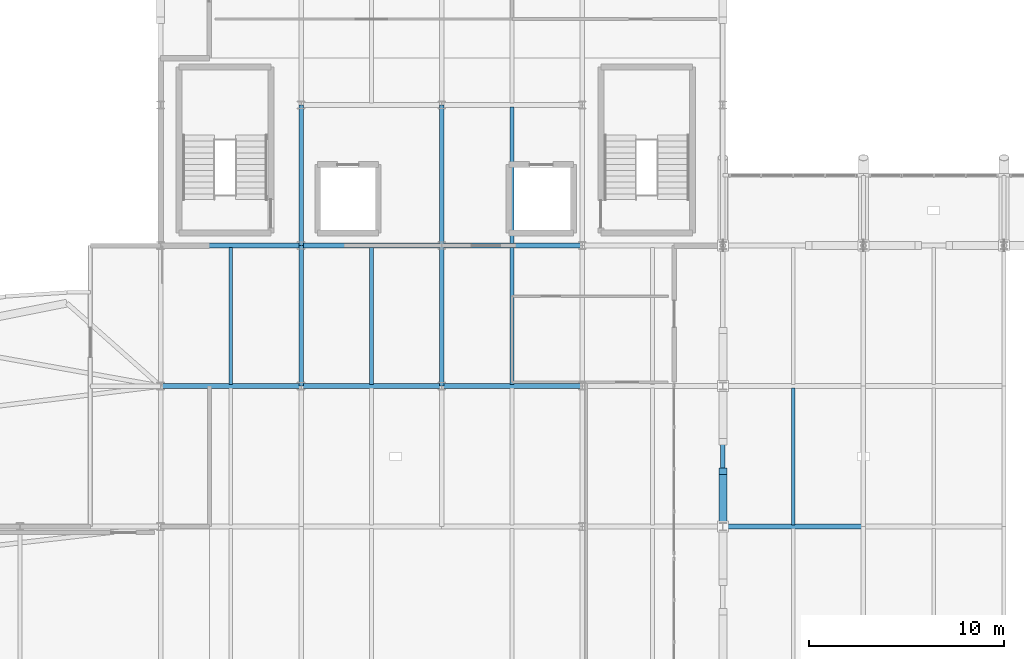
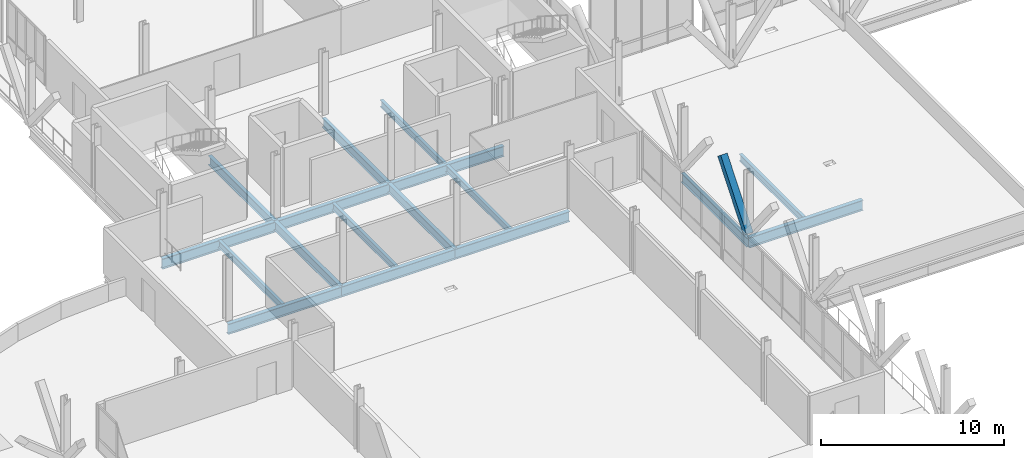
# One storey, part 22 of 102: 17 beams, 1 member.
"""IFC4 building model written with IfcOpenShell, lengths in metres."""

from ifc_helpers import new_model, si_unit, direction, frame, origin, origin_2d, place, context, subcontext, project, spatial, rectangle, i_section, extrude, material, material_profile, profile_set, type_object, element, save


model = new_model("IFC4")

# Units and contexts
model_context = context("Model", 3, precision=1e-05, world=origin(), true_north=direction((0.0, 1.0)))
body_context = subcontext(model_context, "Body", "Model", "MODEL_VIEW")
ifc_project = project(units=[si_unit("LENGTHUNIT", "METRE"), si_unit("AREAUNIT", "SQUARE_METRE"), si_unit("VOLUMEUNIT", "CUBIC_METRE"), si_unit("PLANEANGLEUNIT", "RADIAN"), si_unit("MASSUNIT", "GRAM", prefix="KILO")], contexts=[model_context])

# Site, building, storey
site_placement = place(None, origin())
site = spatial("IfcSite", under=ifc_project, at=site_placement, CompositionType="ELEMENT")
building_placement = place(site_placement, origin())
building = spatial("IfcBuilding", under=site, at=building_placement, Name="Yarey Park Central Fire Station", CompositionType="ELEMENT")
storey_placement = place(building_placement, frame((0.0, 0.0, 6.0)))
storey = spatial("IfcBuildingStorey", under=building, at=storey_placement, Name="L02", CompositionType="ELEMENT", Elevation=6.0)

# Beams
ifc_material_1 = material(Name="Steel ASTM A992 Gr. 50", Category="steel")
ifc_material_profile_1 = material_profile(ifc_material_1, i_section(OverallWidth=0.22900390625, OverallDepth=0.612060546875, WebThickness=0.011962890625, FlangeThickness=0.01953125, at=origin_2d()), Name="W610x125")
ifc_profile_set_1 = profile_set([ifc_material_profile_1], Name="Steel ASTM A992 Gr. 50")
beam_type_1 = type_object("IfcBeamType", Name="STR_BM_W610", PredefinedType="BEAM", material=ifc_profile_set_1)
beam_1_placement = place(storey_placement, frame((36.0, 50.39990234375, -0.591064453125), z_axis=(0.0, 1.0, 0.0), x_axis=(-1.0, 0.0, 0.0)))
element("IfcBeam", 1, at=beam_1_placement, inside=storey, type_object=beam_type_1, Name="BMY L02 X360 Y504", PredefinedType="BEAM", context=body_context, shape_type="SweptSolid", body=[
    extrude(i_section(OverallWidth=0.22900390625, OverallDepth=0.612060546875, WebThickness=0.011962890625, FlangeThickness=0.01953125, at=origin_2d()), origin(), (0.0, 0.0, 1.0), 7.2001953125),
])
beam_2_placement = place(storey_placement, frame((36.0, 57.60009765625, -0.591064453125), z_axis=(0.0, 1.0, 0.0), x_axis=(-1.0, 0.0, 0.0)))
element("IfcBeam", 2, at=beam_2_placement, inside=storey, type_object=beam_type_1, Name="BMY L02 X360 Y576", PredefinedType="BEAM", context=body_context, shape_type="SweptSolid", body=[
    extrude(i_section(OverallWidth=0.22900390625, OverallDepth=0.612060546875, WebThickness=0.011962890625, FlangeThickness=0.01953125, at=origin_2d()), origin(), (0.0, 0.0, 1.0), 7.199951171875),
])
beam_3_placement = place(storey_placement, frame((43.199951171875, 50.39990234375, -0.591064453125), z_axis=(0.0, 1.0, 0.0), x_axis=(-1.0, 0.0, 0.0)))
element("IfcBeam", 3, at=beam_3_placement, inside=storey, type_object=beam_type_1, Name="BMY L02 X432 Y504", PredefinedType="BEAM", context=body_context, shape_type="SweptSolid", body=[
    extrude(i_section(OverallWidth=0.22900390625, OverallDepth=0.612060546875, WebThickness=0.011962890625, FlangeThickness=0.01953125, at=origin_2d()), origin(), (0.0, 0.0, 1.0), 7.2001953125),
])
for number, where, z_axis, x_axis, name in (
    (4, (43.199951171875, 57.60009765625, -0.591064453125), (0.0, 1.0, 0.0), (-1.0, 0.0, 0.0), "BMY L02 X432 Y576"),
    (5, (57.60009765625, 43.199951171875, -0.575927734375), (0.0, 1.0, 0.0), (-1.0, 0.0, 0.0), "BMY L02 X576 Y432"),
):
    element("IfcBeam", number, at=place(storey_placement, frame(where, z_axis=z_axis, x_axis=x_axis)), inside=storey, type_object=beam_type_1, Name=name, PredefinedType="BEAM", context=body_context, shape_type="SweptSolid", body=[
        extrude(i_section(OverallWidth=0.22900390625, OverallDepth=0.612060546875, WebThickness=0.011962890625, FlangeThickness=0.01953125, at=origin_2d()), origin(), (0.0, 0.0, 1.0), 7.199951171875),
    ])
ifc_material_profile_2 = material_profile(ifc_material_1, i_section(OverallWidth=0.256103515625, OverallDepth=0.693115234375, WebThickness=0.014404296875, FlangeThickness=0.023681640625, at=origin_2d()), Name="W690x170")
ifc_profile_set_2 = profile_set([ifc_material_profile_2], Name="Steel ASTM A992 Gr. 50")
beam_type_2 = type_object("IfcBeamType", Name="STR_BM_W690", PredefinedType="BEAM", material=ifc_profile_set_2)
for number, where, z_axis, x_axis, name in (
    (6, (57.60009765625, 43.199951171875, -0.556396484375), (1.0, 0.0, 0.0), (0.0, 1.0, 0.0), "BMX L02 Y432 X576"),
    (7, (28.800048828125, 50.39990234375, -0.631591796875), (1.0, 0.0, 0.0), (0.0, 1.0, 0.0), "BMX L02 Y504 X288"),
    (8, (36.0, 50.39990234375, -0.631591796875), (1.0, 0.0, 0.0), (0.0, 1.0, 0.0), "BMX L02 Y504 X360"),
    (9, (43.199951171875, 50.39990234375, -0.631591796875), (1.0, 0.0, 0.0), (0.0, 1.0, 0.0), "BMX L02 Y504 X432"),
    (10, (28.800048828125, 57.60009765625, -0.631591796875), (1.0, 0.0, 0.0), (0.0, 1.0, 0.0), "BMX L02 Y576 X288"),
    (11, (36.0, 57.60009765625, -0.631591796875), (1.0, 0.0, 0.0), (0.0, 1.0, 0.0), "BMX L02 Y576 X360"),
    (12, (43.199951171875, 57.60009765625, -0.631591796875), (1.0, 0.0, 0.0), (0.0, 1.0, 0.0), "BMX L02 Y576 X432"),
):
    element("IfcBeam", number, at=place(storey_placement, frame(where, z_axis=z_axis, x_axis=x_axis)), inside=storey, type_object=beam_type_2, Name=name, PredefinedType="BEAM", context=body_context, shape_type="SweptSolid", body=[
        extrude(i_section(OverallWidth=0.256103515625, OverallDepth=0.693115234375, WebThickness=0.014404296875, FlangeThickness=0.023681640625, at=origin_2d()), origin(), (0.0, 0.0, 1.0), 7.199951171875),
    ])
ifc_material_profile_3 = material_profile(ifc_material_1, i_section(OverallWidth=0.18994140625, OverallDepth=0.45703125, WebThickness=0.009033203125, FlangeThickness=0.014404296875, at=origin_2d()), Name="W460x74")
ifc_profile_set_3 = profile_set([ifc_material_profile_3], Name="Steel ASTM A992 Gr. 50")
beam_type_3 = type_object("IfcBeamType", Name="STR_JST_W460", PredefinedType="JOIST", material=ifc_profile_set_3)
for number, where, z_axis, x_axis, name in (
    (13, (32.39990234375, 50.4951171875, -0.513427734375), (0.0, 1.0, 0.0), (-1.0, 0.0, 0.0), "JST L02 X324 Y504"),
    (14, (39.60009765625, 50.4951171875, -0.513427734375), (0.0, 1.0, 0.0), (-1.0, 0.0, 0.0), "JST L02 X396 Y504"),
    (15, (46.800048828125, 50.4951171875, -0.513427734375), (0.0, 1.0, 0.0), (-1.0, 0.0, 0.0), "JST L02 X468 Y504"),
):
    element("IfcBeam", number, at=place(storey_placement, frame(where, z_axis=z_axis, x_axis=x_axis)), inside=storey, type_object=beam_type_3, Name=name, PredefinedType="JOIST", context=body_context, shape_type="SweptSolid", body=[
        extrude(i_section(OverallWidth=0.18994140625, OverallDepth=0.45703125, WebThickness=0.009033203125, FlangeThickness=0.014404296875, at=origin_2d()), origin(), (0.0, 0.0, 1.0), 7.009765625),
    ])
for number, where, z_axis, x_axis, name in (
    (16, (46.800048828125, 57.695068359375, -0.513427734375), (0.0, 1.0, 0.0), (-1.0, 0.0, 0.0), "JST L02 X468 Y576"),
    (17, (61.199951171875, 43.294921875, -0.4384765625), (0.0, 1.0, 0.0), (-1.0, 0.0, 0.0), "JST L02 X612 Y432"),
):
    element("IfcBeam", number, at=place(storey_placement, frame(where, z_axis=z_axis, x_axis=x_axis)), inside=storey, type_object=beam_type_3, Name=name, PredefinedType="JOIST", context=body_context, shape_type="SweptSolid", body=[
        extrude(i_section(OverallWidth=0.18994140625, OverallDepth=0.45703125, WebThickness=0.009033203125, FlangeThickness=0.014404296875, at=origin_2d()), origin(), (0.0, 0.0, 1.0), 7.010009765625),
    ])

# Member
ifc_material_2 = material(Name="Glulam GL28h", Category="wood")
ifc_material_profile_4 = material_profile(ifc_material_2, rectangle(XDim=0.419921875, YDim=0.419921875, at=origin_2d()), Name="GL 420x420")
ifc_profile_set_4 = profile_set([ifc_material_profile_4], Name="Glulam GL28h")
member_type = type_object("IfcMemberType", Name="STR_STRUT_GL420", PredefinedType="STRUT", material=ifc_profile_set_4)
member_placement = place(storey_placement, frame((57.60009765625, 43.199951171875, -0.02001953125), z_axis=(0.0, 0.623899588473, 0.781504512785), x_axis=(-1.0, 0.0, 0.0)))
element("IfcMember", 18, at=member_placement, inside=storey, type_object=member_type, Name="Raked Glulam Strut RGS-69", PredefinedType="STRUT", context=body_context, shape_type="SweptSolid", body=[
    extrude(rectangle(XDim=0.419921875, YDim=0.419921875, at=origin_2d()), origin(), (0.0, 0.0, 1.0), 4.568115234375),
])

save(model, "model.ifc")
